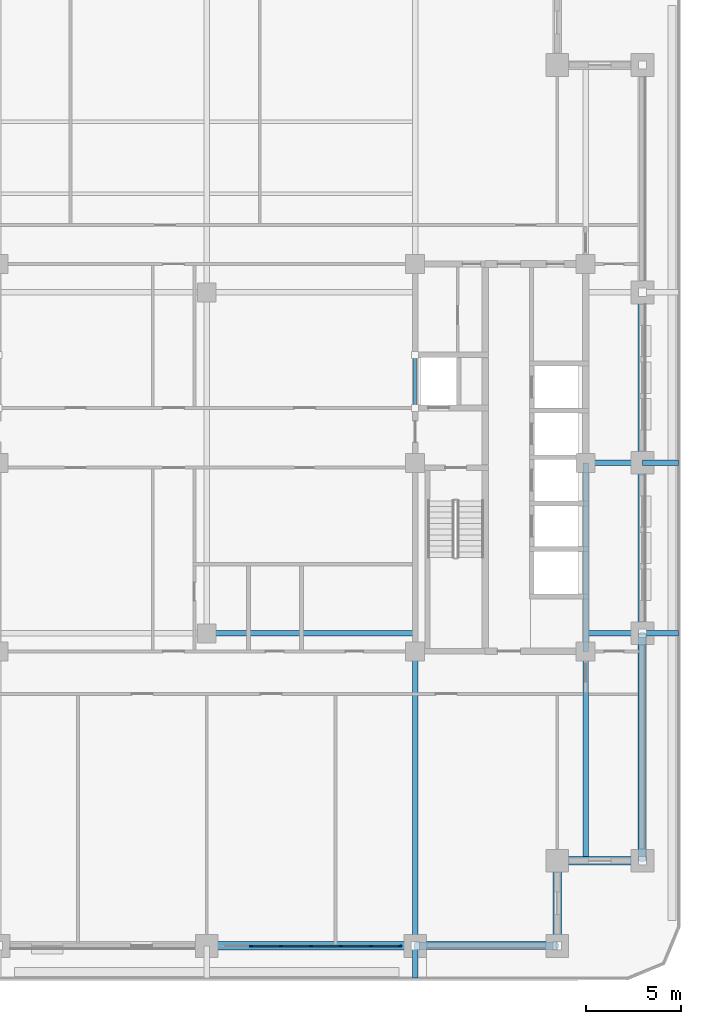
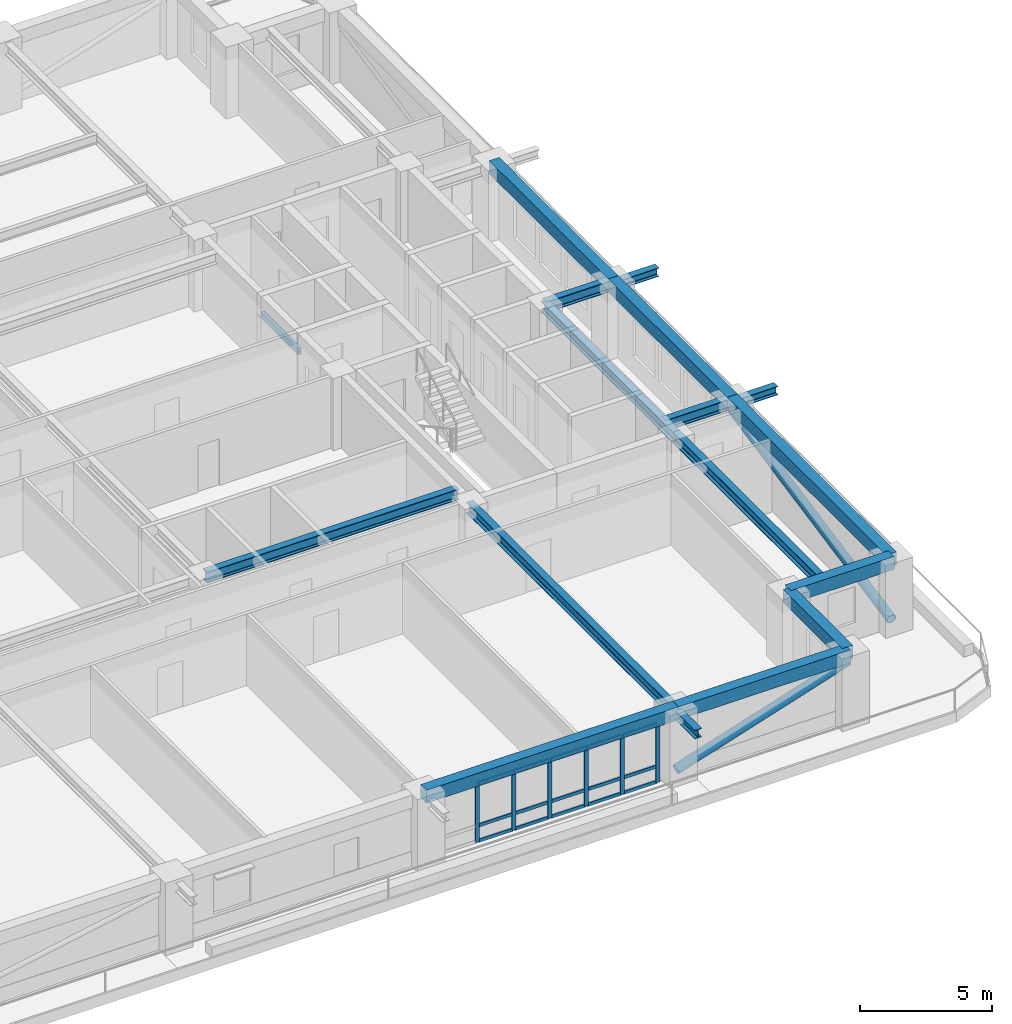
# One storey, part 4 of 20: 23 members, 17 beams, 1 element without a shape of its own.
"""IFC4 building model written with IfcOpenShell, lengths in metres."""

from ifc_helpers import new_model, si_unit, direction, frame, origin, origin_2d, place, context, subcontext, project, spatial, rectangle, hollow_rectangle, hollow_circle, i_section, extrude, material, material_profile, profile_set, type_object, element, aggregate, save


model = new_model("IFC4")

# Units and contexts
model_context = context("Model", 3, precision=1e-05, world=origin(), true_north=direction((0.0, 1.0)))
body_context = subcontext(model_context, "Body", "Model", "MODEL_VIEW")
ifc_project = project(units=[si_unit("LENGTHUNIT", "METRE"), si_unit("AREAUNIT", "SQUARE_METRE"), si_unit("VOLUMEUNIT", "CUBIC_METRE"), si_unit("PLANEANGLEUNIT", "RADIAN"), si_unit("MASSUNIT", "GRAM", prefix="KILO")], contexts=[model_context])

# Site, building, storey
site_placement = place(None, origin())
site = spatial("IfcSite", under=ifc_project, at=site_placement, CompositionType="ELEMENT")
building_placement = place(site_placement, origin())
building = spatial("IfcBuilding", under=site, at=building_placement, Name="Zulmaris Gate Convention Tower", CompositionType="ELEMENT")
storey_placement = place(building_placement, frame((0.0, 0.0, 142.769775390625)))
storey = spatial("IfcBuildingStorey", under=building, at=storey_placement, Name="L36", CompositionType="ELEMENT", Elevation=142.769775390625)

# Beams
ifc_material_1 = material(Name="Steel S355", Category="steel")
ifc_material_profile_1 = material_profile(ifc_material_1, i_section(OverallWidth=0.300048828125, OverallDepth=0.39990234375, WebThickness=0.013427734375, FlangeThickness=0.02392578125, FilletRadius=0.027099609375, at=origin_2d()), Name="HEB 400")
ifc_profile_set_1 = profile_set([ifc_material_profile_1], Name="Steel S355")
beam_type_1 = type_object("IfcBeamType", Name="BM-HEB400", PredefinedType="BEAM", material=ifc_profile_set_1)
beam_1_placement = place(storey_placement, frame((11.0, -27.199951171875, 2.97998046875), z_axis=(0.0, 1.0, 0.0), x_axis=(-1.0, 0.0, 0.0)))
element("IfcBeam", 1, at=beam_1_placement, inside=storey, type_object=beam_type_1, Name="L36 Beam TBRK-L36-S-+11", PredefinedType="BEAM", context=body_context, shape_type="SweptSolid", body=[
    extrude(i_section(OverallWidth=0.300048828125, OverallDepth=0.39990234375, WebThickness=0.013427734375, FlangeThickness=0.02392578125, FilletRadius=0.027099609375, at=origin_2d()), origin(), (0.0, 0.0, 1.0), 1.699951171875),
])
for number, where, z_axis, x_axis, name in (
    (2, (23.0, -9.0, 2.97998046875), (1.0, 0.0, 0.0), (0.0, 1.0, 0.0), "L36 Beam TBRK-L36-E--9"),
    (3, (23.0, 0.0, 2.97998046875), (1.0, 0.0, 0.0), (0.0, 1.0, 0.0), "L36 Beam TBRK-L36-E-+0"),
):
    element("IfcBeam", number, at=place(storey_placement, frame(where, z_axis=z_axis, x_axis=x_axis)), inside=storey, type_object=beam_type_1, Name=name, PredefinedType="BEAM", context=body_context, shape_type="SweptSolid", body=[
        extrude(i_section(OverallWidth=0.300048828125, OverallDepth=0.39990234375, WebThickness=0.013427734375, FlangeThickness=0.02392578125, FilletRadius=0.027099609375, at=origin_2d()), origin(), (0.0, 0.0, 1.0), 1.89990234375),
    ])
ifc_material_profile_2 = material_profile(ifc_material_1, i_section(OverallWidth=0.300048828125, OverallDepth=0.5, WebThickness=0.014404296875, FlangeThickness=0.028076171875, FilletRadius=0.027099609375, at=origin_2d()), Name="HEB 500")
ifc_profile_set_2 = profile_set([ifc_material_profile_2], Name="Steel S355")
beam_type_2 = type_object("IfcBeamType", Name="BM-HEB500", PredefinedType="BEAM", material=ifc_profile_set_2)
beam_2_placement = place(storey_placement, frame((0.0, -9.0, 3.068115234375), z_axis=(1.0, 0.0, 0.0), x_axis=(0.0, 1.0, 0.0)))
element("IfcBeam", 4, at=beam_2_placement, inside=storey, type_object=beam_type_2, Name="L36 Beam BM-L36-G02", PredefinedType="BEAM", context=body_context, shape_type="SweptSolid", body=[
    extrude(i_section(OverallWidth=0.300048828125, OverallDepth=0.5, WebThickness=0.014404296875, FlangeThickness=0.028076171875, FilletRadius=0.027099609375, at=origin_2d()), origin(), (0.0, 0.0, 1.0), 11.0),
])
beam_3_placement = place(storey_placement, frame((11.0, -25.5, 2.992919921875), z_axis=(0.0, 1.0, 0.0), x_axis=(-1.0, 0.0, 0.0)))
element("IfcBeam", 5, at=beam_3_placement, inside=storey, type_object=beam_type_2, Name="L36 Beam BM-L36-G10", PredefinedType="BEAM", context=body_context, shape_type="SweptSolid", body=[
    extrude(i_section(OverallWidth=0.300048828125, OverallDepth=0.5, WebThickness=0.014404296875, FlangeThickness=0.028076171875, FilletRadius=0.027099609375, at=origin_2d()), origin(), (0.0, 0.0, 1.0), 15.550048828125),
])
beam_4_placement = place(storey_placement, frame((20.0, -21.0, 3.068115234375), z_axis=(0.0, 1.0, 0.0), x_axis=(-1.0, 0.0, 0.0)))
element("IfcBeam", 6, at=beam_4_placement, inside=storey, type_object=beam_type_2, Name="L36 Beam BM-L36-G14", PredefinedType="BEAM", context=body_context, shape_type="SweptSolid", body=[
    extrude(i_section(OverallWidth=0.300048828125, OverallDepth=0.5, WebThickness=0.014404296875, FlangeThickness=0.028076171875, FilletRadius=0.027099609375, at=origin_2d()), origin(), (0.0, 0.0, 1.0), 11.050048828125),
])
for number, where, z_axis, x_axis, name in (
    (7, (20.0, -9.0, 3.068115234375), (1.0, 0.0, 0.0), (0.0, 1.0, 0.0), "L36 Beam BM-L36-G19"),
    (8, (20.0, 0.0, 3.068115234375), (1.0, 0.0, 0.0), (0.0, 1.0, 0.0), "L36 Beam BM-L36-G20"),
):
    element("IfcBeam", number, at=place(storey_placement, frame(where, z_axis=z_axis, x_axis=x_axis)), inside=storey, type_object=beam_type_2, Name=name, PredefinedType="BEAM", context=body_context, shape_type="SweptSolid", body=[
        extrude(i_section(OverallWidth=0.300048828125, OverallDepth=0.5, WebThickness=0.014404296875, FlangeThickness=0.028076171875, FilletRadius=0.027099609375, at=origin_2d()), origin(), (0.0, 0.0, 1.0), 3.0),
    ])
beam_5_placement = place(storey_placement, frame((20.0, -9.949951171875, 3.068115234375), z_axis=(0.0, 1.0, 0.0), x_axis=(-1.0, 0.0, 0.0)))
element("IfcBeam", 9, at=beam_5_placement, inside=storey, type_object=beam_type_2, Name="L36 Beam BM-L36-G28", PredefinedType="BEAM", context=body_context, shape_type="SweptSolid", body=[
    extrude(i_section(OverallWidth=0.300048828125, OverallDepth=0.5, WebThickness=0.014404296875, FlangeThickness=0.028076171875, FilletRadius=0.027099609375, at=origin_2d()), origin(), (0.0, 0.0, 1.0), 9.949951171875),
])
ifc_material_2 = material(Name="Precast concrete C50/60", Category="concrete")
ifc_material_profile_3 = material_profile(ifc_material_2, rectangle(XDim=0.449951171875, YDim=0.60009765625, at=origin_2d()), Name="RC SPANDREL 450x600")
ifc_profile_set_3 = profile_set([ifc_material_profile_3], Name="Precast concrete C50/60")
beam_type_3 = type_object("IfcBeamType", Name="BM-SP450x600", PredefinedType="SPANDREL", material=ifc_profile_set_3)
beam_6_placement = place(storey_placement, frame((0.0, -25.5, 3.02001953125), z_axis=(1.0, 0.0, 0.0), x_axis=(0.0, 1.0, 0.0)))
element("IfcBeam", 10, at=beam_6_placement, inside=storey, type_object=beam_type_3, Name="L36 Spandrel SP-L36-03", PredefinedType="SPANDREL", context=body_context, shape_type="SweptSolid", body=[
    extrude(rectangle(XDim=0.449951171875, YDim=0.60009765625, at=origin_2d()), origin(), (0.0, 0.0, 1.0), 11.0),
])
beam_7_placement = place(storey_placement, frame((11.0, -25.5, 3.02001953125), z_axis=(1.0, 0.0, 0.0), x_axis=(0.0, 1.0, 0.0)))
element("IfcBeam", 11, at=beam_7_placement, inside=storey, type_object=beam_type_3, Name="L36 Spandrel SP-L36-04", PredefinedType="SPANDREL", context=body_context, shape_type="SweptSolid", body=[
    extrude(rectangle(XDim=0.449951171875, YDim=0.60009765625, at=origin_2d()), origin(), (0.0, 0.0, 1.0), 7.5),
])
for number, where, z_axis, x_axis, name in (
    (12, (18.5, -25.5, 3.02001953125), (0.0, 1.0, 0.0), (-1.0, 0.0, 0.0), "L36 Spandrel SP-L36-05"),
    (13, (18.5, -21.0, 3.02001953125), (1.0, 0.0, 0.0), (0.0, 1.0, 0.0), "L36 Spandrel SP-L36-06"),
):
    element("IfcBeam", number, at=place(storey_placement, frame(where, z_axis=z_axis, x_axis=x_axis)), inside=storey, type_object=beam_type_3, Name=name, PredefinedType="SPANDREL", context=body_context, shape_type="SweptSolid", body=[
        extrude(rectangle(XDim=0.449951171875, YDim=0.60009765625, at=origin_2d()), origin(), (0.0, 0.0, 1.0), 4.5),
    ])
beam_8_placement = place(storey_placement, frame((23.0, -21.0, 3.02001953125), z_axis=(0.0, 1.0, 0.0), x_axis=(-1.0, 0.0, 0.0)))
element("IfcBeam", 14, at=beam_8_placement, inside=storey, type_object=beam_type_3, Name="L36 Spandrel SP-L36-07", PredefinedType="SPANDREL", context=body_context, shape_type="SweptSolid", body=[
    extrude(rectangle(XDim=0.449951171875, YDim=0.60009765625, at=origin_2d()), origin(), (0.0, 0.0, 1.0), 12.0),
])
for number, where, z_axis, x_axis, name in (
    (15, (23.0, -9.0, 3.02001953125), (0.0, 1.0, 0.0), (-1.0, 0.0, 0.0), "L36 Spandrel SP-L36-08"),
    (16, (23.0, 0.0, 3.02001953125), (0.0, 1.0, 0.0), (-1.0, 0.0, 0.0), "L36 Spandrel SP-L36-09"),
):
    element("IfcBeam", number, at=place(storey_placement, frame(where, z_axis=z_axis, x_axis=x_axis)), inside=storey, type_object=beam_type_3, Name=name, PredefinedType="SPANDREL", context=body_context, shape_type="SweptSolid", body=[
        extrude(rectangle(XDim=0.449951171875, YDim=0.60009765625, at=origin_2d()), origin(), (0.0, 0.0, 1.0), 9.0),
    ])

# Members
ifc_material_3 = material(Name="Steel S460", Category="steel")
ifc_material_profile_4 = material_profile(ifc_material_3, hollow_circle(Radius=0.203125, WallThickness=0.02001953125, at=origin_2d()), Name="CHS 406.4x20")
ifc_profile_set_4 = profile_set([ifc_material_profile_4], Name="Steel S460")
member_type_1 = type_object("IfcMemberType", Name="BR-CHS406", PredefinedType="BRACE", material=ifc_profile_set_4)
member_1_placement = place(storey_placement, frame((23.0, -21.0, 0.300048828125), z_axis=(0.0, 0.980582210276, 0.196108462057), x_axis=(-1.0, 0.0, 0.0)))
element("IfcMember", 17, at=member_1_placement, inside=storey, type_object=member_type_1, Name="L36 Perimeter Tube Diagonal SE-E", PredefinedType="BRACE", context=body_context, shape_type="SweptSolid", body=[
    extrude(hollow_circle(Radius=0.203125, WallThickness=0.02001953125, at=origin_2d()), origin(), (0.0, 0.0, 1.0), 12.237548828125),
])
member_2_placement = place(storey_placement, frame((11.0, -25.5, 0.300048828125), z_axis=(0.95242774696, 0.0, 0.304764477624), x_axis=(0.0, 1.0, 0.0)))
element("IfcMember", 18, at=member_2_placement, inside=storey, type_object=member_type_1, Name="L36 Perimeter Tube Diagonal SE-S", PredefinedType="BRACE", context=body_context, shape_type="SweptSolid", body=[
    extrude(hollow_circle(Radius=0.203125, WallThickness=0.02001953125, at=origin_2d()), origin(), (0.0, 0.0, 1.0), 7.87451171875),
])

# Curtain wall, members
ifc_material_4 = material(Name="Anodised Aluminium", Category="aluminium")
curtain_wall_type = type_object("IfcCurtainWallType", Name="CW-06", PredefinedType="NOTDEFINED", material=ifc_material_4)
curtain_wall_placement = place(storey_placement, origin())
curtain_wall = element("IfcCurtainWall", 19, at=curtain_wall_placement, inside=storey, type_object=curtain_wall_type, Name="CW-06 CW06-L36-S-2_0", PredefinedType="NOTDEFINED")
ifc_material_profile_5 = material_profile(ifc_material_4, rectangle(XDim=0.074951171875, YDim=0.179931640625, at=origin_2d()), Name="ALU MULLION 75x180")
ifc_profile_set_5 = profile_set([ifc_material_profile_5], Name="Anodised Aluminium")
member_type_2 = type_object("IfcMemberType", Name="CW-06-MULL", PredefinedType="MULLION", material=ifc_profile_set_5)
member_3_placement = place(storey_placement, frame((2.340087890625, -25.5, 0.0), z_axis=(0.0, 0.0, 1.0), x_axis=(0.0, 1.0, 0.0)))
member_3 = element("IfcMember", 20, at=member_3_placement, type_object=member_type_2, Name="CW-06 mullion 2", PredefinedType="MULLION", context=body_context, shape_type="SweptSolid", body=[
    extrude(rectangle(XDim=0.074951171875, YDim=0.179931640625, at=origin_2d()), origin(), (0.0, 0.0, 1.0), 2.7119140625),
])
member_4_placement = place(storey_placement, frame((3.919921875, -25.5, 0.0), z_axis=(0.0, 0.0, 1.0), x_axis=(0.0, 1.0, 0.0)))
member_4 = element("IfcMember", 21, at=member_4_placement, type_object=member_type_2, Name="CW-06 mullion 3", PredefinedType="MULLION", context=body_context, shape_type="SweptSolid", body=[
    extrude(rectangle(XDim=0.074951171875, YDim=0.179931640625, at=origin_2d()), origin(), (0.0, 0.0, 1.0), 2.7119140625),
])
member_5_placement = place(storey_placement, frame((5.5, -25.5, 0.0), z_axis=(0.0, 0.0, 1.0), x_axis=(0.0, 1.0, 0.0)))
member_5 = element("IfcMember", 22, at=member_5_placement, type_object=member_type_2, Name="CW-06 mullion 4", PredefinedType="MULLION", context=body_context, shape_type="SweptSolid", body=[
    extrude(rectangle(XDim=0.074951171875, YDim=0.179931640625, at=origin_2d()), origin(), (0.0, 0.0, 1.0), 2.7119140625),
])
member_6_placement = place(storey_placement, frame((7.080078125, -25.5, 0.0), z_axis=(0.0, 0.0, 1.0), x_axis=(0.0, 1.0, 0.0)))
member_6 = element("IfcMember", 23, at=member_6_placement, type_object=member_type_2, Name="CW-06 mullion 5", PredefinedType="MULLION", context=body_context, shape_type="SweptSolid", body=[
    extrude(rectangle(XDim=0.074951171875, YDim=0.179931640625, at=origin_2d()), origin(), (0.0, 0.0, 1.0), 2.7119140625),
])
member_7_placement = place(storey_placement, frame((8.659912109375, -25.5, 0.0), z_axis=(0.0, 0.0, 1.0), x_axis=(0.0, 1.0, 0.0)))
member_7 = element("IfcMember", 24, at=member_7_placement, type_object=member_type_2, Name="CW-06 mullion 6", PredefinedType="MULLION", context=body_context, shape_type="SweptSolid", body=[
    extrude(rectangle(XDim=0.074951171875, YDim=0.179931640625, at=origin_2d()), origin(), (0.0, 0.0, 1.0), 2.7119140625),
])
member_8_placement = place(storey_placement, frame((10.202392578125, -25.5, 0.0), z_axis=(0.0, 0.0, 1.0), x_axis=(0.0, 1.0, 0.0)))
member_8 = element("IfcMember", 25, at=member_8_placement, type_object=member_type_2, Name="CW-06 mullion 7", PredefinedType="MULLION", context=body_context, shape_type="SweptSolid", body=[
    extrude(rectangle(XDim=0.074951171875, YDim=0.179931640625, at=origin_2d()), origin(), (0.0, 0.0, 1.0), 2.7119140625),
])
ifc_material_profile_6 = material_profile(ifc_material_4, rectangle(XDim=0.074951171875, YDim=0.14990234375, at=origin_2d()), Name="ALU TRANSOM 75x150")
ifc_profile_set_6 = profile_set([ifc_material_profile_6], Name="Anodised Aluminium")
member_type_3 = type_object("IfcMemberType", Name="CW-06-TRAN", PredefinedType="USERDEFINED", material=ifc_profile_set_6)
member_9_placement = place(storey_placement, frame((2.37744140625, -25.5, 0.03759765625), z_axis=(1.0, 0.0, 0.0), x_axis=(0.0, 1.0, 0.0)))
member_9 = element("IfcMember", 26, at=member_9_placement, type_object=member_type_3, Name="CW-06 transom 2.1", ObjectType="TRANSOM", PredefinedType="USERDEFINED", context=body_context, shape_type="SweptSolid", body=[
    extrude(rectangle(XDim=0.074951171875, YDim=0.14990234375, at=origin_2d()), origin(), (0.0, 0.0, 1.0), 1.505126953125),
])
member_10_placement = place(storey_placement, frame((2.37744140625, -25.5, 0.75), z_axis=(1.0, 0.0, 0.0), x_axis=(0.0, 1.0, 0.0)))
member_10 = element("IfcMember", 27, at=member_10_placement, type_object=member_type_3, Name="CW-06 transom 2.2", ObjectType="TRANSOM", PredefinedType="USERDEFINED", context=body_context, shape_type="SweptSolid", body=[
    extrude(rectangle(XDim=0.074951171875, YDim=0.14990234375, at=origin_2d()), origin(), (0.0, 0.0, 1.0), 1.505126953125),
])
member_11_placement = place(storey_placement, frame((2.37744140625, -25.5, 2.674560546875), z_axis=(1.0, 0.0, 0.0), x_axis=(0.0, 1.0, 0.0)))
member_11 = element("IfcMember", 28, at=member_11_placement, type_object=member_type_3, Name="CW-06 transom 2.3", ObjectType="TRANSOM", PredefinedType="USERDEFINED", context=body_context, shape_type="SweptSolid", body=[
    extrude(rectangle(XDim=0.074951171875, YDim=0.14990234375, at=origin_2d()), origin(), (0.0, 0.0, 1.0), 1.505126953125),
])
member_12_placement = place(storey_placement, frame((3.95751953125, -25.5, 0.03759765625), z_axis=(1.0, 0.0, 0.0), x_axis=(0.0, 1.0, 0.0)))
member_12 = element("IfcMember", 29, at=member_12_placement, type_object=member_type_3, Name="CW-06 transom 3.1", ObjectType="TRANSOM", PredefinedType="USERDEFINED", context=body_context, shape_type="SweptSolid", body=[
    extrude(rectangle(XDim=0.074951171875, YDim=0.14990234375, at=origin_2d()), origin(), (0.0, 0.0, 1.0), 1.5048828125),
])
member_13_placement = place(storey_placement, frame((3.95751953125, -25.5, 0.75), z_axis=(1.0, 0.0, 0.0), x_axis=(0.0, 1.0, 0.0)))
member_13 = element("IfcMember", 30, at=member_13_placement, type_object=member_type_3, Name="CW-06 transom 3.2", ObjectType="TRANSOM", PredefinedType="USERDEFINED", context=body_context, shape_type="SweptSolid", body=[
    extrude(rectangle(XDim=0.074951171875, YDim=0.14990234375, at=origin_2d()), origin(), (0.0, 0.0, 1.0), 1.5048828125),
])
member_14_placement = place(storey_placement, frame((3.95751953125, -25.5, 2.674560546875), z_axis=(1.0, 0.0, 0.0), x_axis=(0.0, 1.0, 0.0)))
member_14 = element("IfcMember", 31, at=member_14_placement, type_object=member_type_3, Name="CW-06 transom 3.3", ObjectType="TRANSOM", PredefinedType="USERDEFINED", context=body_context, shape_type="SweptSolid", body=[
    extrude(rectangle(XDim=0.074951171875, YDim=0.14990234375, at=origin_2d()), origin(), (0.0, 0.0, 1.0), 1.5048828125),
])
member_15_placement = place(storey_placement, frame((5.53759765625, -25.5, 0.03759765625), z_axis=(1.0, 0.0, 0.0), x_axis=(0.0, 1.0, 0.0)))
member_15 = element("IfcMember", 32, at=member_15_placement, type_object=member_type_3, Name="CW-06 transom 4.1", ObjectType="TRANSOM", PredefinedType="USERDEFINED", context=body_context, shape_type="SweptSolid", body=[
    extrude(rectangle(XDim=0.074951171875, YDim=0.14990234375, at=origin_2d()), origin(), (0.0, 0.0, 1.0), 1.5048828125),
])
member_16_placement = place(storey_placement, frame((5.53759765625, -25.5, 0.75), z_axis=(1.0, 0.0, 0.0), x_axis=(0.0, 1.0, 0.0)))
member_16 = element("IfcMember", 33, at=member_16_placement, type_object=member_type_3, Name="CW-06 transom 4.2", ObjectType="TRANSOM", PredefinedType="USERDEFINED", context=body_context, shape_type="SweptSolid", body=[
    extrude(rectangle(XDim=0.074951171875, YDim=0.14990234375, at=origin_2d()), origin(), (0.0, 0.0, 1.0), 1.5048828125),
])
member_17_placement = place(storey_placement, frame((5.53759765625, -25.5, 2.674560546875), z_axis=(1.0, 0.0, 0.0), x_axis=(0.0, 1.0, 0.0)))
member_17 = element("IfcMember", 34, at=member_17_placement, type_object=member_type_3, Name="CW-06 transom 4.3", ObjectType="TRANSOM", PredefinedType="USERDEFINED", context=body_context, shape_type="SweptSolid", body=[
    extrude(rectangle(XDim=0.074951171875, YDim=0.14990234375, at=origin_2d()), origin(), (0.0, 0.0, 1.0), 1.5048828125),
])
member_18_placement = place(storey_placement, frame((7.117431640625, -25.5, 0.03759765625), z_axis=(1.0, 0.0, 0.0), x_axis=(0.0, 1.0, 0.0)))
member_18 = element("IfcMember", 35, at=member_18_placement, type_object=member_type_3, Name="CW-06 transom 5.1", ObjectType="TRANSOM", PredefinedType="USERDEFINED", context=body_context, shape_type="SweptSolid", body=[
    extrude(rectangle(XDim=0.074951171875, YDim=0.14990234375, at=origin_2d()), origin(), (0.0, 0.0, 1.0), 1.505126953125),
])
member_19_placement = place(storey_placement, frame((7.117431640625, -25.5, 0.75), z_axis=(1.0, 0.0, 0.0), x_axis=(0.0, 1.0, 0.0)))
member_19 = element("IfcMember", 36, at=member_19_placement, type_object=member_type_3, Name="CW-06 transom 5.2", ObjectType="TRANSOM", PredefinedType="USERDEFINED", context=body_context, shape_type="SweptSolid", body=[
    extrude(rectangle(XDim=0.074951171875, YDim=0.14990234375, at=origin_2d()), origin(), (0.0, 0.0, 1.0), 1.505126953125),
])
member_20_placement = place(storey_placement, frame((7.117431640625, -25.5, 2.674560546875), z_axis=(1.0, 0.0, 0.0), x_axis=(0.0, 1.0, 0.0)))
member_20 = element("IfcMember", 37, at=member_20_placement, type_object=member_type_3, Name="CW-06 transom 5.3", ObjectType="TRANSOM", PredefinedType="USERDEFINED", context=body_context, shape_type="SweptSolid", body=[
    extrude(rectangle(XDim=0.074951171875, YDim=0.14990234375, at=origin_2d()), origin(), (0.0, 0.0, 1.0), 1.505126953125),
])
member_21_placement = place(storey_placement, frame((8.697509765625, -25.5, 0.03759765625), z_axis=(1.0, 0.0, 0.0), x_axis=(0.0, 1.0, 0.0)))
member_21 = element("IfcMember", 38, at=member_21_placement, type_object=member_type_3, Name="CW-06 transom 6.1", ObjectType="TRANSOM", PredefinedType="USERDEFINED", context=body_context, shape_type="SweptSolid", body=[
    extrude(rectangle(XDim=0.074951171875, YDim=0.14990234375, at=origin_2d()), origin(), (0.0, 0.0, 1.0), 1.467529296875),
])
member_22_placement = place(storey_placement, frame((8.697509765625, -25.5, 0.75), z_axis=(1.0, 0.0, 0.0), x_axis=(0.0, 1.0, 0.0)))
member_22 = element("IfcMember", 39, at=member_22_placement, type_object=member_type_3, Name="CW-06 transom 6.2", ObjectType="TRANSOM", PredefinedType="USERDEFINED", context=body_context, shape_type="SweptSolid", body=[
    extrude(rectangle(XDim=0.074951171875, YDim=0.14990234375, at=origin_2d()), origin(), (0.0, 0.0, 1.0), 1.467529296875),
])
member_23_placement = place(storey_placement, frame((8.697509765625, -25.5, 2.674560546875), z_axis=(1.0, 0.0, 0.0), x_axis=(0.0, 1.0, 0.0)))
member_23 = element("IfcMember", 40, at=member_23_placement, type_object=member_type_3, Name="CW-06 transom 6.3", ObjectType="TRANSOM", PredefinedType="USERDEFINED", context=body_context, shape_type="SweptSolid", body=[
    extrude(rectangle(XDim=0.074951171875, YDim=0.14990234375, at=origin_2d()), origin(), (0.0, 0.0, 1.0), 1.467529296875),
])
aggregate(curtain_wall, [member_3, member_4, member_5, member_6, member_7, member_8, member_9, member_10, member_11, member_12, member_13, member_14, member_15, member_16, member_17, member_18, member_19, member_20, member_21, member_22, member_23])

# Beam
ifc_material_profile_7 = material_profile(ifc_material_1, hollow_rectangle(XDim=0.14990234375, YDim=0.300048828125, WallThickness=0.010009765625, at=origin_2d()), Name="RHS 300x150x10")
ifc_profile_set_7 = profile_set([ifc_material_profile_7], Name="Steel S355")
beam_type_4 = type_object("IfcBeamType", Name="LN-RHS300", PredefinedType="LINTEL", material=ifc_profile_set_7)
beam_9_placement = place(storey_placement, frame((11.0, 2.89990234375, 2.35009765625), z_axis=(0.0, 1.0, 0.0), x_axis=(-1.0, 0.0, 0.0)))
element("IfcBeam", 41, at=beam_9_placement, inside=storey, type_object=beam_type_4, Name="L36 Core Opening Steel Lintel 2", PredefinedType="LINTEL", context=body_context, shape_type="SweptSolid", body=[
    extrude(hollow_rectangle(XDim=0.14990234375, YDim=0.300048828125, WallThickness=0.010009765625, at=origin_2d()), origin(), (0.0, 0.0, 1.0), 2.800048828125),
])

save(model, "model.ifc")
